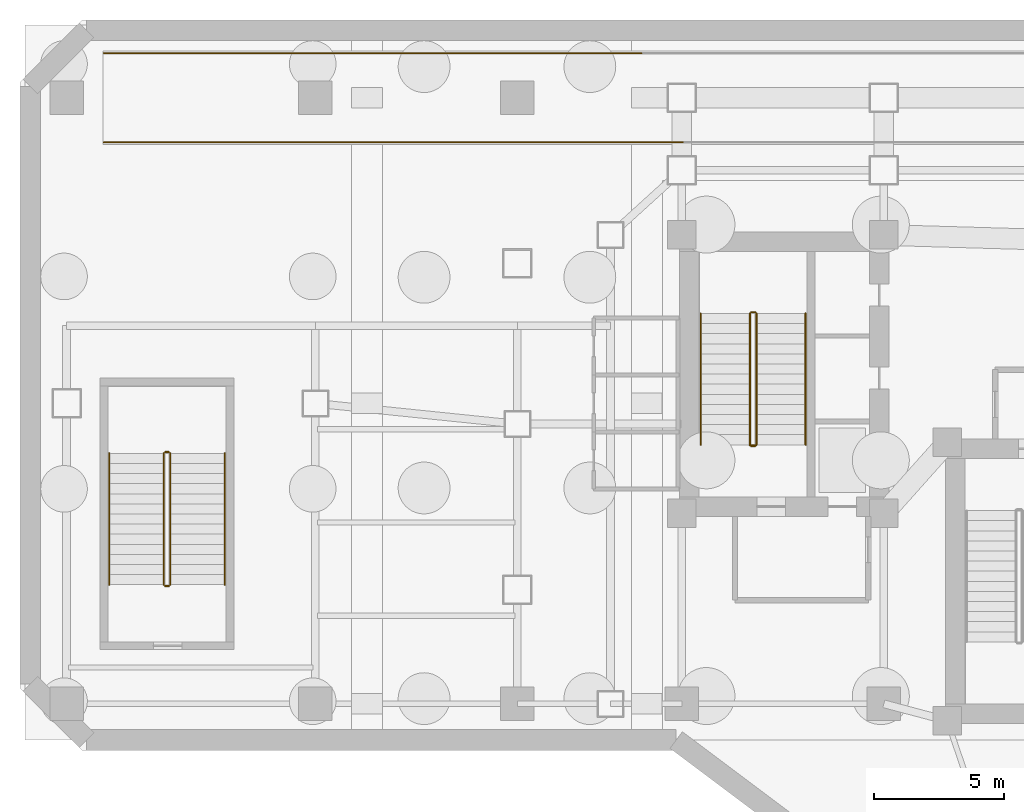
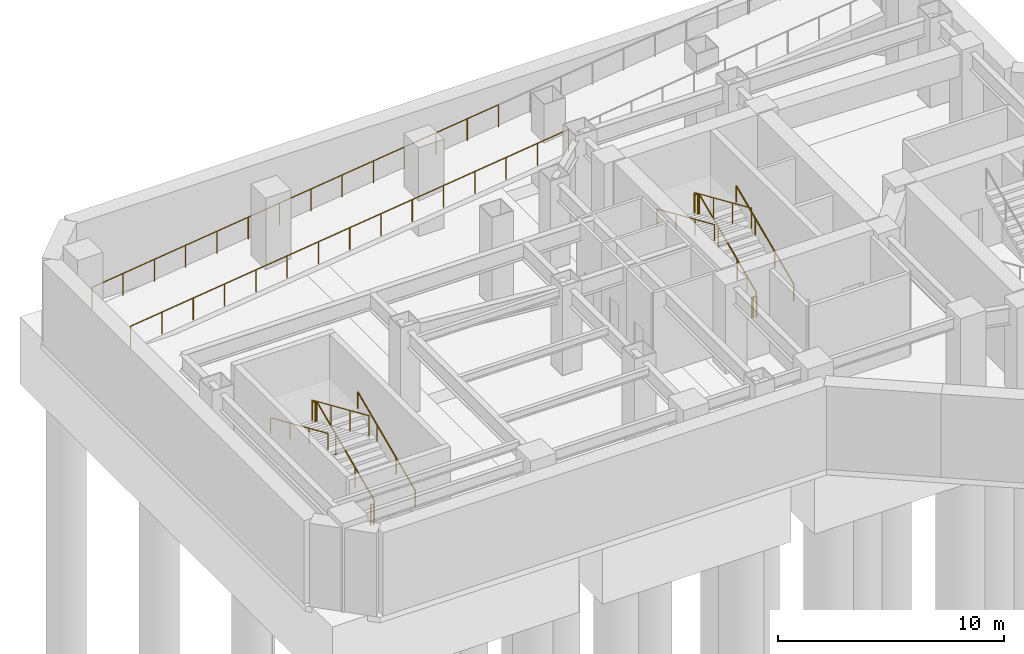
# One storey, part 7 of 9: 40 railings.
"""IFC4 building model written with IfcOpenShell, lengths in metres."""

from ifc_helpers import new_model, si_unit, direction, frame, origin, origin_2d, place, context, subcontext, project, spatial, circle, extrude, material, layer, layer_set, type_object, element, save


model = new_model("IFC4")

# Units and contexts
model_context = context("Model", 3, precision=1e-05, world=origin(), true_north=direction((0.0, 1.0)))
body_context = subcontext(model_context, "Body", "Model", "MODEL_VIEW")
ifc_project = project(units=[si_unit("LENGTHUNIT", "METRE"), si_unit("AREAUNIT", "SQUARE_METRE"), si_unit("VOLUMEUNIT", "CUBIC_METRE"), si_unit("PLANEANGLEUNIT", "RADIAN"), si_unit("MASSUNIT", "GRAM", prefix="KILO")], contexts=[model_context])

# Site, building, storey
site_placement = place(None, origin())
site = spatial("IfcSite", under=ifc_project, at=site_placement, CompositionType="ELEMENT")
building_placement = place(site_placement, origin())
building = spatial("IfcBuilding", under=site, at=building_placement, Name="Hatsunagi Terrace Concourse", CompositionType="ELEMENT")
storey_placement = place(building_placement, frame((0.0, 0.0, -9.60009765625)))
storey = spatial("IfcBuildingStorey", under=building, at=storey_placement, Name="B02", CompositionType="ELEMENT", Elevation=-9.60009765625)

# Railings
ifc_material_1 = material(Name="Stainless steel", Category="steel")
ifc_layer_1 = layer(ifc_material_1, 0.050048828125)
ifc_layer_set_1 = layer_set([ifc_layer_1], Name="StairPitchHandrail_Podium2200")
railing_type_1 = type_object("IfcRailingType", Name="StairPitchHandrail_Podium2200", PredefinedType="HANDRAIL", material=ifc_layer_set_1)
railing_1_placement = place(storey_placement, frame((7.89990234375, 29.800048828125, 0.171630859375)))
element("IfcRailing", 1, at=railing_1_placement, inside=storey, type_object=railing_type_1, Name="B02 ST-P1 stair handrail 1", PredefinedType="HANDRAIL", context=body_context, shape_type="SweptSolid", body=[
    extrude(circle(Radius=0.02392578125, at=origin_2d()), frame((0.0, 0.0, 0.8759765625), z_axis=(0.0, 0.915469019145, 0.40238846279), x_axis=(-1.0, 0.0, 0.0)), (0.0, 0.0, 1.0), 5.538330078125),
    extrude(circle(Radius=0.02099609375, at=origin_2d()), origin(), (0.0, 0.0, 1.0), 0.851806640625),
    extrude(circle(Radius=0.02099609375, at=origin_2d()), frame((0.0, 1.68994140625, 0.742919921875)), (0.0, 0.0, 1.0), 0.851806640625),
    extrude(circle(Radius=0.02099609375, at=origin_2d()), frame((0.0, 3.380126953125, 1.485595703125)), (0.0, 0.0, 1.0), 0.851806640625),
    extrude(circle(Radius=0.02099609375, at=origin_2d()), frame((0.0, 5.070068359375, 2.228515625)), (0.0, 0.0, 1.0), 0.851806640625),
])
railing_2_placement = place(storey_placement, frame((3.449951171875, 34.8701171875, 2.571533203125)))
element("IfcRailing", 2, at=railing_2_placement, inside=storey, type_object=railing_type_1, Name="B02 ST-P1 stair handrail 2", PredefinedType="HANDRAIL", context=body_context, shape_type="SweptSolid", body=[
    extrude(circle(Radius=0.02392578125, at=origin_2d()), frame((0.0, 0.0, 0.8759765625), z_axis=(0.0, -0.915469019145, 0.40238846279), x_axis=(1.0, 0.0, 0.0)), (0.0, 0.0, 1.0), 5.538330078125),
    extrude(circle(Radius=0.02099609375, at=origin_2d()), origin(), (0.0, 0.0, 1.0), 0.851806640625),
    extrude(circle(Radius=0.02099609375, at=origin_2d()), frame((0.0, -1.68994140625, 0.742919921875)), (0.0, 0.0, 1.0), 0.851806640625),
    extrude(circle(Radius=0.02099609375, at=origin_2d()), frame((0.0, -3.380126953125, 1.485595703125)), (0.0, 0.0, 1.0), 0.851806640625),
    extrude(circle(Radius=0.02099609375, at=origin_2d()), frame((0.0, -5.070068359375, 2.228515625)), (0.0, 0.0, 1.0), 0.851806640625),
])
ifc_material_2 = material(Name="Stainless steel", Category="steel")
ifc_layer_2 = layer(ifc_material_2, 0.044921875)
ifc_layer_set_2 = layer_set([ifc_layer_2], Name="StairPitchHandrail_Tower2000")
railing_type_2 = type_object("IfcRailingType", Name="StairPitchHandrail_Tower2000", PredefinedType="HANDRAIL", material=ifc_layer_set_2)
railing_3_placement = place(storey_placement, frame((30.330078125, 35.199951171875, 0.171630859375)))
element("IfcRailing", 3, at=railing_3_placement, inside=storey, type_object=railing_type_2, Name="B02 ST-A stair handrail 1", PredefinedType="HANDRAIL", context=body_context, shape_type="SweptSolid", body=[
    extrude(circle(Radius=0.02392578125, at=origin_2d()), frame((0.0, 0.0, 0.8759765625), z_axis=(0.0, 0.915469019145, 0.40238846279), x_axis=(-1.0, 0.0, 0.0)), (0.0, 0.0, 1.0), 5.538330078125),
    extrude(circle(Radius=0.02099609375, at=origin_2d()), origin(), (0.0, 0.0, 1.0), 0.851806640625),
    extrude(circle(Radius=0.02099609375, at=origin_2d()), frame((0.0, 1.68994140625, 0.742919921875)), (0.0, 0.0, 1.0), 0.851806640625),
    extrude(circle(Radius=0.02099609375, at=origin_2d()), frame((0.0, 3.380126953125, 1.485595703125)), (0.0, 0.0, 1.0), 0.851806640625),
    extrude(circle(Radius=0.02099609375, at=origin_2d()), frame((0.0, 5.070068359375, 2.228515625)), (0.0, 0.0, 1.0), 0.851806640625),
])
railing_4_placement = place(storey_placement, frame((26.280029296875, 40.27001953125, 2.571533203125)))
element("IfcRailing", 4, at=railing_4_placement, inside=storey, type_object=railing_type_2, Name="B02 ST-A stair handrail 2", PredefinedType="HANDRAIL", context=body_context, shape_type="SweptSolid", body=[
    extrude(circle(Radius=0.02392578125, at=origin_2d()), frame((0.0, 0.0, 0.8759765625), z_axis=(0.0, -0.915469019145, 0.40238846279), x_axis=(1.0, 0.0, 0.0)), (0.0, 0.0, 1.0), 5.538330078125),
    extrude(circle(Radius=0.02099609375, at=origin_2d()), origin(), (0.0, 0.0, 1.0), 0.851806640625),
    extrude(circle(Radius=0.02099609375, at=origin_2d()), frame((0.0, -1.68994140625, 0.742919921875)), (0.0, 0.0, 1.0), 0.851806640625),
    extrude(circle(Radius=0.02099609375, at=origin_2d()), frame((0.0, -3.380126953125, 1.485595703125)), (0.0, 0.0, 1.0), 0.851806640625),
    extrude(circle(Radius=0.02099609375, at=origin_2d()), frame((0.0, -5.070068359375, 2.228515625)), (0.0, 0.0, 1.0), 0.851806640625),
])
ifc_material_3 = material(Name="Stainless steel", Category="steel")
ifc_layer_3 = layer(ifc_material_3, 0.06494140625)
ifc_layer_set_3 = layer_set([ifc_layer_3], Name="StairWellGuard_Podium2200")
railing_type_3 = type_object("IfcRailingType", Name="StairWellGuard_Podium2200", PredefinedType="BALUSTRADE", material=ifc_layer_set_3)
railing_5_placement = place(storey_placement, frame((5.800048828125, 29.800048828125, 0.171630859375)))
element("IfcRailing", 5, at=railing_5_placement, inside=storey, type_object=railing_type_3, Name="B02 ST-P1 stair guard 1", PredefinedType="BALUSTRADE", context=body_context, shape_type="SweptSolid", body=[
    extrude(circle(Radius=0.02392578125, at=origin_2d()), frame((0.0, 0.0, 1.09619140625), z_axis=(0.0, 0.915469019145, 0.40238846279), x_axis=(-1.0, 0.0, 0.0)), (0.0, 0.0, 1.0), 5.538330078125),
    extrude(circle(Radius=0.02099609375, at=origin_2d()), origin(), (0.0, 0.0, 1.0), 1.072021484375),
    extrude(circle(Radius=0.02099609375, at=origin_2d()), frame((0.0, 1.68994140625, 0.742919921875)), (0.0, 0.0, 1.0), 1.072021484375),
    extrude(circle(Radius=0.02099609375, at=origin_2d()), frame((0.0, 3.380126953125, 1.485595703125)), (0.0, 0.0, 1.0), 1.072021484375),
    extrude(circle(Radius=0.02099609375, at=origin_2d()), frame((0.0, 5.070068359375, 2.228515625)), (0.0, 0.0, 1.0), 1.072021484375),
])
railing_6_placement = place(storey_placement, frame((5.75, 34.919921875, 2.400146484375)))
element("IfcRailing", 6, at=railing_6_placement, inside=storey, type_object=railing_type_3, Name="B02 ST-P1 stair guard 2", PredefinedType="BALUSTRADE", context=body_context, shape_type="SweptSolid", body=[
    extrude(circle(Radius=0.02392578125, at=origin_2d()), frame((0.0, 0.0, 1.09619140625), z_axis=(-1.0, 0.0, 0.0), x_axis=(0.0, -1.0, 0.0)), (0.0, 0.0, 1.0), 0.14990234375),
    extrude(circle(Radius=0.02099609375, at=origin_2d()), origin(), (0.0, 0.0, 1.0), 1.072021484375),
    extrude(circle(Radius=0.02099609375, at=origin_2d()), frame((-0.14990234375, 0.0, 0.0)), (0.0, 0.0, 1.0), 1.072021484375),
])
railing_7_placement = place(storey_placement, frame((5.550048828125, 34.8701171875, 2.571533203125)))
element("IfcRailing", 7, at=railing_7_placement, inside=storey, type_object=railing_type_3, Name="B02 ST-P1 stair guard 3", PredefinedType="BALUSTRADE", context=body_context, shape_type="SweptSolid", body=[
    extrude(circle(Radius=0.02392578125, at=origin_2d()), frame((0.0, 0.0, 1.09619140625), z_axis=(0.0, -0.915469019145, 0.40238846279), x_axis=(1.0, 0.0, 0.0)), (0.0, 0.0, 1.0), 5.538330078125),
    extrude(circle(Radius=0.02099609375, at=origin_2d()), origin(), (0.0, 0.0, 1.0), 1.072021484375),
    extrude(circle(Radius=0.02099609375, at=origin_2d()), frame((0.0, -1.68994140625, 0.742919921875)), (0.0, 0.0, 1.0), 1.072021484375),
    extrude(circle(Radius=0.02099609375, at=origin_2d()), frame((0.0, -3.380126953125, 1.485595703125)), (0.0, 0.0, 1.0), 1.072021484375),
    extrude(circle(Radius=0.02099609375, at=origin_2d()), frame((0.0, -5.070068359375, 2.228515625)), (0.0, 0.0, 1.0), 1.072021484375),
])
railing_8_placement = place(storey_placement, frame((5.75, 29.75, 0.0)))
element("IfcRailing", 8, at=railing_8_placement, inside=storey, type_object=railing_type_3, Name="B02 ST-P1 stair guard 4", PredefinedType="BALUSTRADE", context=body_context, shape_type="SweptSolid", body=[
    extrude(circle(Radius=0.02392578125, at=origin_2d()), frame((0.0, 0.0, 1.09619140625), z_axis=(-1.0, 0.0, 0.0), x_axis=(0.0, -1.0, 0.0)), (0.0, 0.0, 1.0), 0.14990234375),
    extrude(circle(Radius=0.02099609375, at=origin_2d()), origin(), (0.0, 0.0, 1.0), 1.072021484375),
    extrude(circle(Radius=0.02099609375, at=origin_2d()), frame((-0.14990234375, 0.0, 0.0)), (0.0, 0.0, 1.0), 1.072021484375),
])
ifc_material_4 = material(Name="Stainless steel", Category="steel")
ifc_layer_4 = layer(ifc_material_4, 0.06005859375)
ifc_layer_set_4 = layer_set([ifc_layer_4], Name="StairWellGuard_Tower2000")
railing_type_4 = type_object("IfcRailingType", Name="StairWellGuard_Tower2000", PredefinedType="BALUSTRADE", material=ifc_layer_set_4)
railing_9_placement = place(storey_placement, frame((28.429931640625, 35.199951171875, 0.171630859375)))
element("IfcRailing", 9, at=railing_9_placement, inside=storey, type_object=railing_type_4, Name="B02 ST-A stair guard 1", PredefinedType="BALUSTRADE", context=body_context, shape_type="SweptSolid", body=[
    extrude(circle(Radius=0.02392578125, at=origin_2d()), frame((0.0, 0.0, 1.09619140625), z_axis=(0.0, 0.915469019145, 0.40238846279), x_axis=(-1.0, 0.0, 0.0)), (0.0, 0.0, 1.0), 5.538330078125),
    extrude(circle(Radius=0.02099609375, at=origin_2d()), origin(), (0.0, 0.0, 1.0), 1.072021484375),
    extrude(circle(Radius=0.02099609375, at=origin_2d()), frame((0.0, 1.68994140625, 0.742919921875)), (0.0, 0.0, 1.0), 1.072021484375),
    extrude(circle(Radius=0.02099609375, at=origin_2d()), frame((0.0, 3.380126953125, 1.485595703125)), (0.0, 0.0, 1.0), 1.072021484375),
    extrude(circle(Radius=0.02099609375, at=origin_2d()), frame((0.0, 5.070068359375, 2.228515625)), (0.0, 0.0, 1.0), 1.072021484375),
])
railing_10_placement = place(storey_placement, frame((28.3798828125, 40.320068359375, 2.400146484375)))
element("IfcRailing", 10, at=railing_10_placement, inside=storey, type_object=railing_type_4, Name="B02 ST-A stair guard 2", PredefinedType="BALUSTRADE", context=body_context, shape_type="SweptSolid", body=[
    extrude(circle(Radius=0.02392578125, at=origin_2d()), frame((0.0, 0.0, 1.09619140625), z_axis=(-1.0, 0.0, 0.0), x_axis=(0.0, -1.0, 0.0)), (0.0, 0.0, 1.0), 0.14990234375),
    extrude(circle(Radius=0.02099609375, at=origin_2d()), origin(), (0.0, 0.0, 1.0), 1.072021484375),
    extrude(circle(Radius=0.02099609375, at=origin_2d()), frame((-0.14990234375, 0.0, 0.0)), (0.0, 0.0, 1.0), 1.072021484375),
])
railing_11_placement = place(storey_placement, frame((28.179931640625, 40.27001953125, 2.571533203125)))
element("IfcRailing", 11, at=railing_11_placement, inside=storey, type_object=railing_type_4, Name="B02 ST-A stair guard 3", PredefinedType="BALUSTRADE", context=body_context, shape_type="SweptSolid", body=[
    extrude(circle(Radius=0.02392578125, at=origin_2d()), frame((0.0, 0.0, 1.09619140625), z_axis=(0.0, -0.915469019145, 0.40238846279), x_axis=(1.0, 0.0, 0.0)), (0.0, 0.0, 1.0), 5.538330078125),
    extrude(circle(Radius=0.02099609375, at=origin_2d()), origin(), (0.0, 0.0, 1.0), 1.072021484375),
    extrude(circle(Radius=0.02099609375, at=origin_2d()), frame((0.0, -1.68994140625, 0.742919921875)), (0.0, 0.0, 1.0), 1.072021484375),
    extrude(circle(Radius=0.02099609375, at=origin_2d()), frame((0.0, -3.380126953125, 1.485595703125)), (0.0, 0.0, 1.0), 1.072021484375),
    extrude(circle(Radius=0.02099609375, at=origin_2d()), frame((0.0, -5.070068359375, 2.228515625)), (0.0, 0.0, 1.0), 1.072021484375),
])
railing_12_placement = place(storey_placement, frame((28.3798828125, 35.14990234375, 0.0)))
element("IfcRailing", 12, at=railing_12_placement, inside=storey, type_object=railing_type_4, Name="B02 ST-A stair guard 4", PredefinedType="BALUSTRADE", context=body_context, shape_type="SweptSolid", body=[
    extrude(circle(Radius=0.02392578125, at=origin_2d()), frame((0.0, 0.0, 1.09619140625), z_axis=(-1.0, 0.0, 0.0), x_axis=(0.0, -1.0, 0.0)), (0.0, 0.0, 1.0), 0.14990234375),
    extrude(circle(Radius=0.02099609375, at=origin_2d()), origin(), (0.0, 0.0, 1.0), 1.072021484375),
    extrude(circle(Radius=0.02099609375, at=origin_2d()), frame((-0.14990234375, 0.0, 0.0)), (0.0, 0.0, 1.0), 1.072021484375),
])
ifc_material_5 = material(Name="Stainless Steel SUS316 Post-and-Rail Guard", Category="steel")
ifc_layer_5 = layer(ifc_material_5, 0.080078125)
ifc_layer_set_5 = layer_set([ifc_layer_5], Name="TerracePlantedGuardRail_1200")
railing_type_5 = type_object("IfcRailingType", Name="TerracePlantedGuardRail_1200", PredefinedType="GUARDRAIL", material=ifc_layer_set_5)
railing_13_placement = place(storey_placement, frame((28.179931640625, 35.179931640625, 0.0)))
element("IfcRailing", 13, at=railing_13_placement, inside=storey, type_object=railing_type_5, Name="Stair ST-A Well Closure Guard B02", PredefinedType="GUARDRAIL", context=body_context, shape_type="SweptSolid", body=[
    extrude(circle(Radius=0.02392578125, at=origin_2d()), frame((0.0, 0.0, 1.09619140625), z_axis=(1.0, 0.0, 0.0), x_axis=(0.0, 1.0, 0.0)), (0.0, 0.0, 1.0), 0.25),
    extrude(circle(Radius=0.02099609375, at=origin_2d()), origin(), (0.0, 0.0, 1.0), 1.072021484375),
    extrude(circle(Radius=0.02099609375, at=origin_2d()), frame((0.25, 0.0, 0.0)), (0.0, 0.0, 1.0), 1.072021484375),
])
railing_14_placement = place(storey_placement, frame((3.239990234375, 46.8798828125, 0.005126953125)))
element("IfcRailing", 14, at=railing_14_placement, inside=storey, type_object=railing_type_5, Name="B02 Vehicle Ramp R1 Sloped Side Guardrail GRD-02 S #1", PredefinedType="GUARDRAIL", context=body_context, shape_type="SweptSolid", body=[
    extrude(circle(Radius=0.02392578125, at=origin_2d()), frame((0.0, 0.0, 1.17578125), z_axis=(0.99228957038, 0.0, 0.123941149404), x_axis=(0.0, 1.0, 0.0)), (0.0, 0.0, 1.0), 1.60546875),
    extrude(circle(Radius=0.02099609375, at=origin_2d()), origin(), (0.0, 0.0, 1.0), 1.15185546875),
    extrude(circle(Radius=0.02099609375, at=origin_2d()), frame((1.593017578125, 0.0, 0.198974609375)), (0.0, 0.0, 1.0), 1.15185546875),
])
railing_15_placement = place(storey_placement, frame((4.841064453125, 46.8798828125, 0.205078125)))
element("IfcRailing", 15, at=railing_15_placement, inside=storey, type_object=railing_type_5, Name="B02 Vehicle Ramp R1 Sloped Side Guardrail GRD-02 S #2", PredefinedType="GUARDRAIL", context=body_context, shape_type="SweptSolid", body=[
    extrude(circle(Radius=0.02392578125, at=origin_2d()), frame((0.0, 0.0, 1.17578125), z_axis=(0.992240278382, 0.0, 0.124335151734), x_axis=(0.0, 1.0, 0.0)), (0.0, 0.0, 1.0), 1.600341796875),
    extrude(circle(Radius=0.02099609375, at=origin_2d()), origin(), (0.0, 0.0, 1.0), 1.15185546875),
    extrude(circle(Radius=0.02099609375, at=origin_2d()), frame((1.587890625, 0.0, 0.198974609375)), (0.0, 0.0, 1.0), 1.15185546875),
])
railing_16_placement = place(storey_placement, frame((6.43701171875, 46.8798828125, 0.405029296875)))
element("IfcRailing", 16, at=railing_16_placement, inside=storey, type_object=railing_type_5, Name="B02 Vehicle Ramp R1 Sloped Side Guardrail GRD-02 S #3", PredefinedType="GUARDRAIL", context=body_context, shape_type="SweptSolid", body=[
    extrude(circle(Radius=0.02392578125, at=origin_2d()), frame((0.0, 0.0, 1.17578125), z_axis=(0.992324721938, 0.0, 0.12365939605), x_axis=(0.0, 1.0, 0.0)), (0.0, 0.0, 1.0), 1.60107421875),
    extrude(circle(Radius=0.02099609375, at=origin_2d()), origin(), (0.0, 0.0, 1.0), 1.15185546875),
    extrude(circle(Radius=0.02099609375, at=origin_2d()), frame((1.5888671875, 0.0, 0.197998046875)), (0.0, 0.0, 1.0), 1.15185546875),
])
railing_17_placement = place(storey_placement, frame((8.033935546875, 46.8798828125, 0.60400390625)))
element("IfcRailing", 17, at=railing_17_placement, inside=storey, type_object=railing_type_5, Name="B02 Vehicle Ramp R1 Sloped Side Guardrail GRD-02 S #4", PredefinedType="GUARDRAIL", context=body_context, shape_type="SweptSolid", body=[
    extrude(circle(Radius=0.02392578125, at=origin_2d()), frame((0.0, 0.0, 1.17578125), z_axis=(0.99225205719, 0.0, 0.124241116394), x_axis=(0.0, 1.0, 0.0)), (0.0, 0.0, 1.0), 1.6015625),
    extrude(circle(Radius=0.02099609375, at=origin_2d()), origin(), (0.0, 0.0, 1.0), 1.15185546875),
    extrude(circle(Radius=0.02099609375, at=origin_2d()), frame((1.589111328125, 0.0, 0.198974609375)), (0.0, 0.0, 1.0), 1.15185546875),
])
railing_18_placement = place(storey_placement, frame((9.631103515625, 46.8798828125, 0.80419921875)))
element("IfcRailing", 18, at=railing_18_placement, inside=storey, type_object=railing_type_5, Name="B02 Vehicle Ramp R1 Sloped Side Guardrail GRD-02 S #5", PredefinedType="GUARDRAIL", context=body_context, shape_type="SweptSolid", body=[
    extrude(circle(Radius=0.02392578125, at=origin_2d()), frame((0.0, 0.0, 1.17578125), z_axis=(0.992315386925, 0.0, 0.123734283333), x_axis=(0.0, 1.0, 0.0)), (0.0, 0.0, 1.0), 1.60009765625),
    extrude(circle(Radius=0.02099609375, at=origin_2d()), origin(), (0.0, 0.0, 1.0), 1.15185546875),
    extrude(circle(Radius=0.02099609375, at=origin_2d()), frame((1.587890625, 0.0, 0.197998046875)), (0.0, 0.0, 1.0), 1.15185546875),
])
railing_19_placement = place(storey_placement, frame((11.22705078125, 46.8798828125, 1.003173828125)))
element("IfcRailing", 19, at=railing_19_placement, inside=storey, type_object=railing_type_5, Name="B02 Vehicle Ramp R1 Sloped Side Guardrail GRD-02 S #6", PredefinedType="GUARDRAIL", context=body_context, shape_type="SweptSolid", body=[
    extrude(circle(Radius=0.02392578125, at=origin_2d()), frame((0.0, 0.0, 1.17578125), z_axis=(0.992249703566, 0.0, 0.124259912171), x_axis=(0.0, 1.0, 0.0)), (0.0, 0.0, 1.0), 1.601318359375),
    extrude(circle(Radius=0.02099609375, at=origin_2d()), origin(), (0.0, 0.0, 1.0), 1.15185546875),
    extrude(circle(Radius=0.02099609375, at=origin_2d()), frame((1.5888671875, 0.0, 0.198974609375)), (0.0, 0.0, 1.0), 1.15185546875),
])
railing_20_placement = place(storey_placement, frame((12.823974609375, 46.8798828125, 1.203125)))
element("IfcRailing", 20, at=railing_20_placement, inside=storey, type_object=railing_type_5, Name="B02 Vehicle Ramp R1 Sloped Side Guardrail GRD-02 S #7", PredefinedType="GUARDRAIL", context=body_context, shape_type="SweptSolid", body=[
    extrude(circle(Radius=0.02392578125, at=origin_2d()), frame((0.0, 0.0, 1.17578125), z_axis=(0.99225205719, 0.0, 0.124241116394), x_axis=(0.0, 1.0, 0.0)), (0.0, 0.0, 1.0), 1.6015625),
    extrude(circle(Radius=0.02099609375, at=origin_2d()), origin(), (0.0, 0.0, 1.0), 1.15185546875),
    extrude(circle(Radius=0.02099609375, at=origin_2d()), frame((1.589111328125, 0.0, 0.198974609375)), (0.0, 0.0, 1.0), 1.15185546875),
])
railing_21_placement = place(storey_placement, frame((14.4208984375, 46.8798828125, 1.403076171875)))
element("IfcRailing", 21, at=railing_21_placement, inside=storey, type_object=railing_type_5, Name="B02 Vehicle Ramp R1 Sloped Side Guardrail GRD-02 S #8", PredefinedType="GUARDRAIL", context=body_context, shape_type="SweptSolid", body=[
    extrude(circle(Radius=0.02392578125, at=origin_2d()), frame((0.0, 0.0, 1.17578125), z_axis=(0.992317722268, 0.0, 0.123715553076), x_axis=(0.0, 1.0, 0.0)), (0.0, 0.0, 1.0), 1.600341796875),
    extrude(circle(Radius=0.02099609375, at=origin_2d()), origin(), (0.0, 0.0, 1.0), 1.15185546875),
    extrude(circle(Radius=0.02099609375, at=origin_2d()), frame((1.588134765625, 0.0, 0.197998046875)), (0.0, 0.0, 1.0), 1.15185546875),
])
railing_22_placement = place(storey_placement, frame((16.01708984375, 46.8798828125, 1.60205078125)))
element("IfcRailing", 22, at=railing_22_placement, inside=storey, type_object=railing_type_5, Name="B02 Vehicle Ramp R1 Sloped Side Guardrail GRD-02 S #9", PredefinedType="GUARDRAIL", context=body_context, shape_type="SweptSolid", body=[
    extrude(circle(Radius=0.02392578125, at=origin_2d()), frame((0.0, 0.0, 1.17578125), z_axis=(0.992249703566, 0.0, 0.124259912171), x_axis=(0.0, 1.0, 0.0)), (0.0, 0.0, 1.0), 1.601318359375),
    extrude(circle(Radius=0.02099609375, at=origin_2d()), origin(), (0.0, 0.0, 1.0), 1.15185546875),
    extrude(circle(Radius=0.02099609375, at=origin_2d()), frame((1.5888671875, 0.0, 0.198974609375)), (0.0, 0.0, 1.0), 1.15185546875),
])
railing_23_placement = place(storey_placement, frame((17.614013671875, 46.8798828125, 1.802001953125)))
element("IfcRailing", 23, at=railing_23_placement, inside=storey, type_object=railing_type_5, Name="B02 Vehicle Ramp R1 Sloped Side Guardrail GRD-02 S #10", PredefinedType="GUARDRAIL", context=body_context, shape_type="SweptSolid", body=[
    extrude(circle(Radius=0.02392578125, at=origin_2d()), frame((0.0, 0.0, 1.17578125), z_axis=(0.992324721938, 0.0, 0.12365939605), x_axis=(0.0, 1.0, 0.0)), (0.0, 0.0, 1.0), 1.60107421875),
    extrude(circle(Radius=0.02099609375, at=origin_2d()), origin(), (0.0, 0.0, 1.0), 1.15185546875),
    extrude(circle(Radius=0.02099609375, at=origin_2d()), frame((1.5888671875, 0.0, 0.197998046875)), (0.0, 0.0, 1.0), 1.15185546875),
])
railing_24_placement = place(storey_placement, frame((19.2109375, 46.8798828125, 2.0009765625)))
element("IfcRailing", 24, at=railing_24_placement, inside=storey, type_object=railing_type_5, Name="B02 Vehicle Ramp R1 Sloped Side Guardrail GRD-02 S #11", PredefinedType="GUARDRAIL", context=body_context, shape_type="SweptSolid", body=[
    extrude(circle(Radius=0.02392578125, at=origin_2d()), frame((0.0, 0.0, 1.17578125), z_axis=(0.992223809737, 0.0, 0.124466507109), x_axis=(0.0, 1.0, 0.0)), (0.0, 0.0, 1.0), 1.6005859375),
    extrude(circle(Radius=0.02099609375, at=origin_2d()), origin(), (0.0, 0.0, 1.0), 1.15185546875),
    extrude(circle(Radius=0.02099609375, at=origin_2d()), frame((1.588134765625, 0.0, 0.19921875)), (0.0, 0.0, 1.0), 1.15185546875),
])
railing_25_placement = place(storey_placement, frame((20.806884765625, 46.8798828125, 2.201171875)))
element("IfcRailing", 25, at=railing_25_placement, inside=storey, type_object=railing_type_5, Name="B02 Vehicle Ramp R1 Sloped Side Guardrail GRD-02 S #12", PredefinedType="GUARDRAIL", context=body_context, shape_type="SweptSolid", body=[
    extrude(circle(Radius=0.02392578125, at=origin_2d()), frame((0.0, 0.0, 1.17578125), z_axis=(0.99225205719, 0.0, 0.124241116394), x_axis=(0.0, 1.0, 0.0)), (0.0, 0.0, 1.0), 1.6015625),
    extrude(circle(Radius=0.02099609375, at=origin_2d()), origin(), (0.0, 0.0, 1.0), 1.15185546875),
    extrude(circle(Radius=0.02099609375, at=origin_2d()), frame((1.589111328125, 0.0, 0.198974609375)), (0.0, 0.0, 1.0), 1.15185546875),
])
railing_26_placement = place(storey_placement, frame((22.404052734375, 46.8798828125, 2.400146484375)))
element("IfcRailing", 26, at=railing_26_placement, inside=storey, type_object=railing_type_5, Name="B02 Vehicle Ramp R1 Sloped Side Guardrail GRD-02 S #13", PredefinedType="GUARDRAIL", context=body_context, shape_type="SweptSolid", body=[
    extrude(circle(Radius=0.02392578125, at=origin_2d()), frame((0.0, 0.0, 1.17578125), z_axis=(0.992249703566, 0.0, 0.124259912171), x_axis=(0.0, 1.0, 0.0)), (0.0, 0.0, 1.0), 1.601318359375),
    extrude(circle(Radius=0.02099609375, at=origin_2d()), origin(), (0.0, 0.0, 1.0), 1.15185546875),
    extrude(circle(Radius=0.02099609375, at=origin_2d()), frame((1.5888671875, 0.0, 0.198974609375)), (0.0, 0.0, 1.0), 1.15185546875),
])
railing_27_placement = place(storey_placement, frame((24.0009765625, 46.8798828125, 2.60009765625)))
element("IfcRailing", 27, at=railing_27_placement, inside=storey, type_object=railing_type_5, Name="B02 Vehicle Ramp R1 Sloped Side Guardrail GRD-02 S #14", PredefinedType="GUARDRAIL", context=body_context, shape_type="SweptSolid", body=[
    extrude(circle(Radius=0.02392578125, at=origin_2d()), frame((0.0, 0.0, 1.17578125), z_axis=(0.992242636283, 0.0, 0.12431633337), x_axis=(0.0, 1.0, 0.0)), (0.0, 0.0, 1.0), 1.6005859375),
    extrude(circle(Radius=0.02099609375, at=origin_2d()), origin(), (0.0, 0.0, 1.0), 1.15185546875),
    extrude(circle(Radius=0.02099609375, at=origin_2d()), frame((1.588134765625, 0.0, 0.198974609375)), (0.0, 0.0, 1.0), 1.15185546875),
])
railing_28_placement = place(storey_placement, frame((3.239990234375, 50.320068359375, 0.005126953125)))
element("IfcRailing", 28, at=railing_28_placement, inside=storey, type_object=railing_type_5, Name="B02 Vehicle Ramp R1 Sloped Side Guardrail GRD-02 N #1", PredefinedType="GUARDRAIL", context=body_context, shape_type="SweptSolid", body=[
    extrude(circle(Radius=0.02392578125, at=origin_2d()), frame((0.0, 0.0, 1.17578125), z_axis=(0.99228957038, 0.0, 0.123941149404), x_axis=(0.0, 1.0, 0.0)), (0.0, 0.0, 1.0), 1.60546875),
    extrude(circle(Radius=0.02099609375, at=origin_2d()), origin(), (0.0, 0.0, 1.0), 1.15185546875),
    extrude(circle(Radius=0.02099609375, at=origin_2d()), frame((1.593017578125, 0.0, 0.198974609375)), (0.0, 0.0, 1.0), 1.15185546875),
])
railing_29_placement = place(storey_placement, frame((4.841064453125, 50.320068359375, 0.205078125)))
element("IfcRailing", 29, at=railing_29_placement, inside=storey, type_object=railing_type_5, Name="B02 Vehicle Ramp R1 Sloped Side Guardrail GRD-02 N #2", PredefinedType="GUARDRAIL", context=body_context, shape_type="SweptSolid", body=[
    extrude(circle(Radius=0.02392578125, at=origin_2d()), frame((0.0, 0.0, 1.17578125), z_axis=(0.992240278382, 0.0, 0.124335151734), x_axis=(0.0, 1.0, 0.0)), (0.0, 0.0, 1.0), 1.600341796875),
    extrude(circle(Radius=0.02099609375, at=origin_2d()), origin(), (0.0, 0.0, 1.0), 1.15185546875),
    extrude(circle(Radius=0.02099609375, at=origin_2d()), frame((1.587890625, 0.0, 0.198974609375)), (0.0, 0.0, 1.0), 1.15185546875),
])
railing_30_placement = place(storey_placement, frame((6.43701171875, 50.320068359375, 0.405029296875)))
element("IfcRailing", 30, at=railing_30_placement, inside=storey, type_object=railing_type_5, Name="B02 Vehicle Ramp R1 Sloped Side Guardrail GRD-02 N #3", PredefinedType="GUARDRAIL", context=body_context, shape_type="SweptSolid", body=[
    extrude(circle(Radius=0.02392578125, at=origin_2d()), frame((0.0, 0.0, 1.17578125), z_axis=(0.992324721938, 0.0, 0.12365939605), x_axis=(0.0, 1.0, 0.0)), (0.0, 0.0, 1.0), 1.60107421875),
    extrude(circle(Radius=0.02099609375, at=origin_2d()), origin(), (0.0, 0.0, 1.0), 1.15185546875),
    extrude(circle(Radius=0.02099609375, at=origin_2d()), frame((1.5888671875, 0.0, 0.197998046875)), (0.0, 0.0, 1.0), 1.15185546875),
])
railing_31_placement = place(storey_placement, frame((8.033935546875, 50.320068359375, 0.60400390625)))
element("IfcRailing", 31, at=railing_31_placement, inside=storey, type_object=railing_type_5, Name="B02 Vehicle Ramp R1 Sloped Side Guardrail GRD-02 N #4", PredefinedType="GUARDRAIL", context=body_context, shape_type="SweptSolid", body=[
    extrude(circle(Radius=0.02392578125, at=origin_2d()), frame((0.0, 0.0, 1.17578125), z_axis=(0.99225205719, 0.0, 0.124241116394), x_axis=(0.0, 1.0, 0.0)), (0.0, 0.0, 1.0), 1.6015625),
    extrude(circle(Radius=0.02099609375, at=origin_2d()), origin(), (0.0, 0.0, 1.0), 1.15185546875),
    extrude(circle(Radius=0.02099609375, at=origin_2d()), frame((1.589111328125, 0.0, 0.198974609375)), (0.0, 0.0, 1.0), 1.15185546875),
])
railing_32_placement = place(storey_placement, frame((9.631103515625, 50.320068359375, 0.80419921875)))
element("IfcRailing", 32, at=railing_32_placement, inside=storey, type_object=railing_type_5, Name="B02 Vehicle Ramp R1 Sloped Side Guardrail GRD-02 N #5", PredefinedType="GUARDRAIL", context=body_context, shape_type="SweptSolid", body=[
    extrude(circle(Radius=0.02392578125, at=origin_2d()), frame((0.0, 0.0, 1.17578125), z_axis=(0.992315386925, 0.0, 0.123734283333), x_axis=(0.0, 1.0, 0.0)), (0.0, 0.0, 1.0), 1.60009765625),
    extrude(circle(Radius=0.02099609375, at=origin_2d()), origin(), (0.0, 0.0, 1.0), 1.15185546875),
    extrude(circle(Radius=0.02099609375, at=origin_2d()), frame((1.587890625, 0.0, 0.197998046875)), (0.0, 0.0, 1.0), 1.15185546875),
])
railing_33_placement = place(storey_placement, frame((11.22705078125, 50.320068359375, 1.003173828125)))
element("IfcRailing", 33, at=railing_33_placement, inside=storey, type_object=railing_type_5, Name="B02 Vehicle Ramp R1 Sloped Side Guardrail GRD-02 N #6", PredefinedType="GUARDRAIL", context=body_context, shape_type="SweptSolid", body=[
    extrude(circle(Radius=0.02392578125, at=origin_2d()), frame((0.0, 0.0, 1.17578125), z_axis=(0.992249703566, 0.0, 0.124259912171), x_axis=(0.0, 1.0, 0.0)), (0.0, 0.0, 1.0), 1.601318359375),
    extrude(circle(Radius=0.02099609375, at=origin_2d()), origin(), (0.0, 0.0, 1.0), 1.15185546875),
    extrude(circle(Radius=0.02099609375, at=origin_2d()), frame((1.5888671875, 0.0, 0.198974609375)), (0.0, 0.0, 1.0), 1.15185546875),
])
railing_34_placement = place(storey_placement, frame((12.823974609375, 50.320068359375, 1.203125)))
element("IfcRailing", 34, at=railing_34_placement, inside=storey, type_object=railing_type_5, Name="B02 Vehicle Ramp R1 Sloped Side Guardrail GRD-02 N #7", PredefinedType="GUARDRAIL", context=body_context, shape_type="SweptSolid", body=[
    extrude(circle(Radius=0.02392578125, at=origin_2d()), frame((0.0, 0.0, 1.17578125), z_axis=(0.99225205719, 0.0, 0.124241116394), x_axis=(0.0, 1.0, 0.0)), (0.0, 0.0, 1.0), 1.6015625),
    extrude(circle(Radius=0.02099609375, at=origin_2d()), origin(), (0.0, 0.0, 1.0), 1.15185546875),
    extrude(circle(Radius=0.02099609375, at=origin_2d()), frame((1.589111328125, 0.0, 0.198974609375)), (0.0, 0.0, 1.0), 1.15185546875),
])
railing_35_placement = place(storey_placement, frame((14.4208984375, 50.320068359375, 1.403076171875)))
element("IfcRailing", 35, at=railing_35_placement, inside=storey, type_object=railing_type_5, Name="B02 Vehicle Ramp R1 Sloped Side Guardrail GRD-02 N #8", PredefinedType="GUARDRAIL", context=body_context, shape_type="SweptSolid", body=[
    extrude(circle(Radius=0.02392578125, at=origin_2d()), frame((0.0, 0.0, 1.17578125), z_axis=(0.992317722268, 0.0, 0.123715553076), x_axis=(0.0, 1.0, 0.0)), (0.0, 0.0, 1.0), 1.600341796875),
    extrude(circle(Radius=0.02099609375, at=origin_2d()), origin(), (0.0, 0.0, 1.0), 1.15185546875),
    extrude(circle(Radius=0.02099609375, at=origin_2d()), frame((1.588134765625, 0.0, 0.197998046875)), (0.0, 0.0, 1.0), 1.15185546875),
])
railing_36_placement = place(storey_placement, frame((16.01708984375, 50.320068359375, 1.60205078125)))
element("IfcRailing", 36, at=railing_36_placement, inside=storey, type_object=railing_type_5, Name="B02 Vehicle Ramp R1 Sloped Side Guardrail GRD-02 N #9", PredefinedType="GUARDRAIL", context=body_context, shape_type="SweptSolid", body=[
    extrude(circle(Radius=0.02392578125, at=origin_2d()), frame((0.0, 0.0, 1.17578125), z_axis=(0.992249703566, 0.0, 0.124259912171), x_axis=(0.0, 1.0, 0.0)), (0.0, 0.0, 1.0), 1.601318359375),
    extrude(circle(Radius=0.02099609375, at=origin_2d()), origin(), (0.0, 0.0, 1.0), 1.15185546875),
    extrude(circle(Radius=0.02099609375, at=origin_2d()), frame((1.5888671875, 0.0, 0.198974609375)), (0.0, 0.0, 1.0), 1.15185546875),
])
railing_37_placement = place(storey_placement, frame((17.614013671875, 50.320068359375, 1.802001953125)))
element("IfcRailing", 37, at=railing_37_placement, inside=storey, type_object=railing_type_5, Name="B02 Vehicle Ramp R1 Sloped Side Guardrail GRD-02 N #10", PredefinedType="GUARDRAIL", context=body_context, shape_type="SweptSolid", body=[
    extrude(circle(Radius=0.02392578125, at=origin_2d()), frame((0.0, 0.0, 1.17578125), z_axis=(0.992324721938, 0.0, 0.12365939605), x_axis=(0.0, 1.0, 0.0)), (0.0, 0.0, 1.0), 1.60107421875),
    extrude(circle(Radius=0.02099609375, at=origin_2d()), origin(), (0.0, 0.0, 1.0), 1.15185546875),
    extrude(circle(Radius=0.02099609375, at=origin_2d()), frame((1.5888671875, 0.0, 0.197998046875)), (0.0, 0.0, 1.0), 1.15185546875),
])
railing_38_placement = place(storey_placement, frame((19.2109375, 50.320068359375, 2.0009765625)))
element("IfcRailing", 38, at=railing_38_placement, inside=storey, type_object=railing_type_5, Name="B02 Vehicle Ramp R1 Sloped Side Guardrail GRD-02 N #11", PredefinedType="GUARDRAIL", context=body_context, shape_type="SweptSolid", body=[
    extrude(circle(Radius=0.02392578125, at=origin_2d()), frame((0.0, 0.0, 1.17578125), z_axis=(0.992223809737, 0.0, 0.124466507109), x_axis=(0.0, 1.0, 0.0)), (0.0, 0.0, 1.0), 1.6005859375),
    extrude(circle(Radius=0.02099609375, at=origin_2d()), origin(), (0.0, 0.0, 1.0), 1.15185546875),
    extrude(circle(Radius=0.02099609375, at=origin_2d()), frame((1.588134765625, 0.0, 0.19921875)), (0.0, 0.0, 1.0), 1.15185546875),
])
railing_39_placement = place(storey_placement, frame((20.806884765625, 50.320068359375, 2.201171875)))
element("IfcRailing", 39, at=railing_39_placement, inside=storey, type_object=railing_type_5, Name="B02 Vehicle Ramp R1 Sloped Side Guardrail GRD-02 N #12", PredefinedType="GUARDRAIL", context=body_context, shape_type="SweptSolid", body=[
    extrude(circle(Radius=0.02392578125, at=origin_2d()), frame((0.0, 0.0, 1.17578125), z_axis=(0.99225205719, 0.0, 0.124241116394), x_axis=(0.0, 1.0, 0.0)), (0.0, 0.0, 1.0), 1.6015625),
    extrude(circle(Radius=0.02099609375, at=origin_2d()), origin(), (0.0, 0.0, 1.0), 1.15185546875),
    extrude(circle(Radius=0.02099609375, at=origin_2d()), frame((1.589111328125, 0.0, 0.198974609375)), (0.0, 0.0, 1.0), 1.15185546875),
])
railing_40_placement = place(storey_placement, frame((22.404052734375, 50.320068359375, 2.400146484375)))
element("IfcRailing", 40, at=railing_40_placement, inside=storey, type_object=railing_type_5, Name="B02 Vehicle Ramp R1 Sloped Side Guardrail GRD-02 N #13", PredefinedType="GUARDRAIL", context=body_context, shape_type="SweptSolid", body=[
    extrude(circle(Radius=0.02392578125, at=origin_2d()), frame((0.0, 0.0, 1.17578125), z_axis=(0.992249703566, 0.0, 0.124259912171), x_axis=(0.0, 1.0, 0.0)), (0.0, 0.0, 1.0), 1.601318359375),
    extrude(circle(Radius=0.02099609375, at=origin_2d()), origin(), (0.0, 0.0, 1.0), 1.15185546875),
    extrude(circle(Radius=0.02099609375, at=origin_2d()), frame((1.5888671875, 0.0, 0.198974609375)), (0.0, 0.0, 1.0), 1.15185546875),
])

save(model, "model.ifc")
